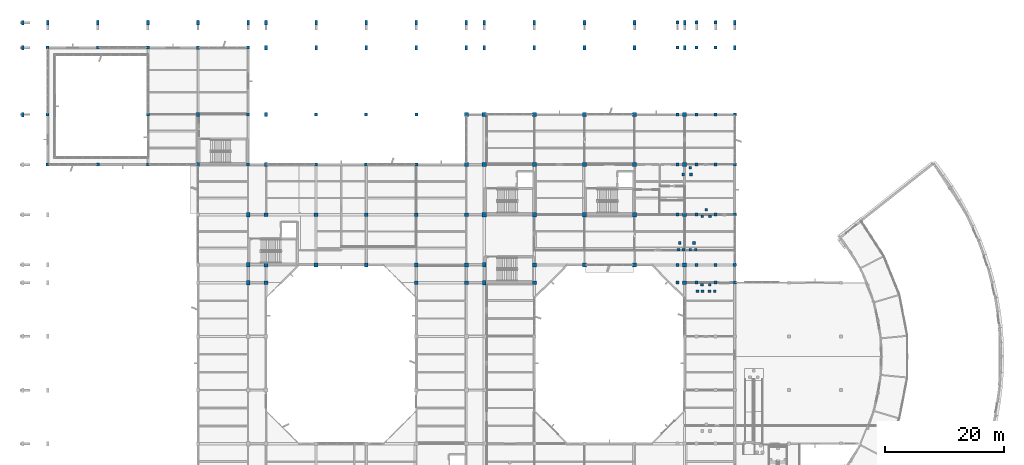
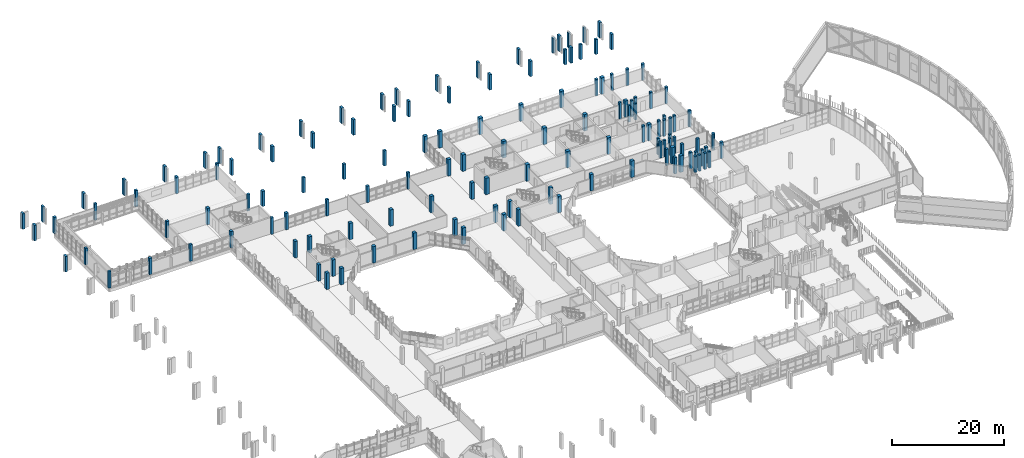
# One storey, part 2 of 104: 137 columns.
"""IFC4 building model written with IfcOpenShell, lengths in metres."""

from ifc_helpers import new_model, si_unit, direction, frame, origin, origin_2d, place, context, subcontext, project, spatial, rectangle, circle, extrude, material, material_profile, profile_set, type_object, element, save


model = new_model("IFC4")

# Units and contexts
model_context = context("Model", 3, precision=1e-05, world=origin(), true_north=direction((0.0, 1.0)))
body_context = subcontext(model_context, "Body", "Model", "MODEL_VIEW")
ifc_project = project(units=[si_unit("LENGTHUNIT", "METRE"), si_unit("AREAUNIT", "SQUARE_METRE"), si_unit("VOLUMEUNIT", "CUBIC_METRE"), si_unit("PLANEANGLEUNIT", "RADIAN"), si_unit("MASSUNIT", "GRAM", prefix="KILO")], contexts=[model_context])

# Site, building, storey
site_placement = place(None, origin())
site = spatial("IfcSite", under=ifc_project, at=site_placement, CompositionType="ELEMENT")
building_placement = place(site_placement, origin())
building = spatial("IfcBuilding", under=site, at=building_placement, Name="Vanh Quang Courtyard School", CompositionType="ELEMENT")
storey_placement = place(building_placement, frame((0.0, 0.0, 4.199951171875)))
storey = spatial("IfcBuildingStorey", under=building, at=storey_placement, Name="L01", CompositionType="ELEMENT", Elevation=4.199951171875)

# Columns
ifc_material = material(Name="Concrete C35/45", Category="concrete")
ifc_material_profile_1 = material_profile(ifc_material, rectangle(XDim=0.449951171875, YDim=0.75, at=origin_2d()), Name="RC-PIER 450x750")
ifc_profile_set_1 = profile_set([ifc_material_profile_1], Name="Concrete C35/45")
column_type_1 = type_object("IfcColumnType", Name="COL-PIER-450x750", PredefinedType="COLUMN", material=ifc_profile_set_1)
for number, where, z_axis, x_axis, name in (
    (1, (0.0, 96.60009765625, 0.0), (0.0, 0.0, 1.0), (1.0, 0.0, 0.0), "Column C-09 (L01)"),
    (2, (0.0, 107.800048828125, 0.0), (0.0, 0.0, 1.0), (1.0, 0.0, 0.0), "Column C-09 (L01)"),
    (3, (0.0, 112.0, 0.0), (0.0, 0.0, 1.0), (1.0, 0.0, 0.0), "Column C-09 (L01)"),
    (4, (4.199951171875, 112.0, 0.0), (0.0, 0.0, 1.0), (1.0, 0.0, 0.0), "Column C-09 (L01)"),
    (5, (12.60009765625, 112.0, 0.0), (0.0, 0.0, 1.0), (1.0, 0.0, 0.0), "Column C-09 (L01)"),
    (6, (21.0, 112.0, 0.0), (0.0, 0.0, 1.0), (1.0, 0.0, 0.0), "Column C-09 (L01)"),
    (7, (29.39990234375, 112.0, 0.0), (0.0, 0.0, 1.0), (1.0, 0.0, 0.0), "Column C-09 (L01)"),
    (8, (37.800048828125, 112.0, 0.0), (0.0, 0.0, 1.0), (1.0, 0.0, 0.0), "Column C-09 (L01)"),
    (9, (40.800048828125, 107.800048828125, 0.0), (0.0, 0.0, 1.0), (1.0, 0.0, 0.0), "Column C-09 (L01)"),
    (10, (40.800048828125, 112.0, 0.0), (0.0, 0.0, 1.0), (1.0, 0.0, 0.0), "Column C-09 (L01)"),
    (11, (49.199951171875, 107.800048828125, 0.0), (0.0, 0.0, 1.0), (1.0, 0.0, 0.0), "Column C-09 (L01)"),
    (12, (49.199951171875, 112.0, 0.0), (0.0, 0.0, 1.0), (1.0, 0.0, 0.0), "Column C-09 (L01)"),
    (13, (57.60009765625, 107.800048828125, 0.0), (0.0, 0.0, 1.0), (1.0, 0.0, 0.0), "Column C-09 (L01)"),
    (14, (57.60009765625, 112.0, 0.0), (0.0, 0.0, 1.0), (1.0, 0.0, 0.0), "Column C-09 (L01)"),
    (15, (66.0, 107.800048828125, 0.0), (0.0, 0.0, 1.0), (1.0, 0.0, 0.0), "Column C-09 (L01)"),
    (16, (66.0, 112.0, 0.0), (0.0, 0.0, 1.0), (1.0, 0.0, 0.0), "Column C-09 (L01)"),
    (17, (74.39990234375, 107.800048828125, 0.0), (0.0, 0.0, 1.0), (1.0, 0.0, 0.0), "Column C-09 (L01)"),
    (18, (74.39990234375, 112.0, 0.0), (0.0, 0.0, 1.0), (1.0, 0.0, 0.0), "Column C-09 (L01)"),
    (19, (77.39990234375, 107.800048828125, 0.0), (0.0, 0.0, 1.0), (1.0, 0.0, 0.0), "Column C-09 (L01)"),
    (20, (77.39990234375, 112.0, 0.0), (0.0, 0.0, 1.0), (1.0, 0.0, 0.0), "Column C-09 (L01)"),
    (21, (85.800048828125, 107.800048828125, 0.0), (0.0, 0.0, 1.0), (1.0, 0.0, 0.0), "Column C-09 (L01)"),
    (22, (85.800048828125, 112.0, 0.0), (0.0, 0.0, 1.0), (1.0, 0.0, 0.0), "Column C-09 (L01)"),
    (23, (94.199951171875, 107.800048828125, 0.0), (0.0, 0.0, 1.0), (1.0, 0.0, 0.0), "Column C-09 (L01)"),
    (24, (94.199951171875, 112.0, 0.0), (0.0, 0.0, 1.0), (1.0, 0.0, 0.0), "Column C-09 (L01)"),
    (25, (102.60009765625, 107.800048828125, 0.0), (0.0, 0.0, 1.0), (1.0, 0.0, 0.0), "Column C-09 (L01)"),
    (26, (102.60009765625, 112.0, 0.0), (0.0, 0.0, 1.0), (1.0, 0.0, 0.0), "Column C-09 (L01)"),
    (27, (111.0, 107.800048828125, 0.0), (0.0, 0.0, 1.0), (1.0, 0.0, 0.0), "Column C-09 (L01)"),
    (28, (111.0, 112.0, 0.0), (0.0, 0.0, 1.0), (1.0, 0.0, 0.0), "Column C-09 (L01)"),
    (29, (119.39990234375, 107.800048828125, 0.0), (0.0, 0.0, 1.0), (1.0, 0.0, 0.0), "Column C-09 (L01)"),
    (30, (119.39990234375, 112.0, 0.0), (0.0, 0.0, 1.0), (1.0, 0.0, 0.0), "Column C-09 (L01)"),
):
    element("IfcColumn", number, at=place(storey_placement, frame(where, z_axis=z_axis, x_axis=x_axis)), inside=storey, type_object=column_type_1, Name=name, PredefinedType="COLUMN", context=body_context, shape_type="SweptSolid", body=[
        extrude(rectangle(XDim=0.449951171875, YDim=0.75, at=origin_2d()), origin(), (0.0, 0.0, 1.0), 3.380126953125),
    ])
ifc_material_profile_2 = material_profile(ifc_material, rectangle(XDim=0.449951171875, YDim=0.449951171875, at=origin_2d()), Name="RC-COL 450x450")
ifc_profile_set_2 = profile_set([ifc_material_profile_2], Name="Concrete C35/45")
column_type_2 = type_object("IfcColumnType", Name="COL-RC-450", PredefinedType="COLUMN", material=ifc_profile_set_2)
for number, where, z_axis, x_axis, name in (
    (31, (113.949951171875, 79.550048828125, 0.0), (0.0, 0.0, 1.0), (1.0, 0.0, 0.0), "Column C-06 (L01)"),
    (32, (115.25, 79.550048828125, 0.0), (0.0, 0.0, 1.0), (1.0, 0.0, 0.0), "Column C-06 (L01)"),
    (33, (114.60009765625, 80.64990234375, 0.0), (0.0, 0.0, 1.0), (1.0, 0.0, 0.0), "Column C-06 (L01)"),
    (34, (115.14990234375, 66.949951171875, 0.0), (0.0, 0.0, 1.0), (1.0, 0.0, 0.0), "Column C-06 (L01)"),
    (35, (116.050048828125, 66.949951171875, 0.0), (0.0, 0.0, 1.0), (1.0, 0.0, 0.0), "Column C-06 (L01)"),
    (36, (115.199951171875, 68.050048828125, 0.0), (0.0, 0.0, 1.0), (1.0, 0.0, 0.0), "Column C-06 (L01)"),
    (37, (113.14990234375, 66.949951171875, 0.0), (0.0, 0.0, 1.0), (1.0, 0.0, 0.0), "Column C-06 (L01)"),
    (38, (114.0, 66.949951171875, 0.0), (0.0, 0.0, 1.0), (1.0, 0.0, 0.0), "Column C-06 (L01)"),
    (39, (113.89990234375, 68.050048828125, 0.0), (0.0, 0.0, 1.0), (1.0, 0.0, 0.0), "Column C-06 (L01)"),
    (40, (110.75, 86.550048828125, 0.0), (0.0, 0.0, 1.0), (1.0, 0.0, 0.0), "Column C-06 (L01)"),
    (41, (112.050048828125, 86.550048828125, 0.0), (0.0, 0.0, 1.0), (1.0, 0.0, 0.0), "Column C-06 (L01)"),
    (42, (111.949951171875, 87.64990234375, 0.0), (0.0, 0.0, 1.0), (1.0, 0.0, 0.0), "Column C-06 (L01)"),
    (43, (111.949951171875, 73.949951171875, 0.0), (0.0, 0.0, 1.0), (1.0, 0.0, 0.0), "Column C-06 (L01)"),
    (44, (112.85009765625, 73.949951171875, 0.0), (0.0, 0.0, 1.0), (1.0, 0.0, 0.0), "Column C-06 (L01)"),
    (45, (112.550048828125, 75.050048828125, 0.0), (0.0, 0.0, 1.0), (1.0, 0.0, 0.0), "Column C-06 (L01)"),
    (46, (109.949951171875, 73.949951171875, 0.0), (0.0, 0.0, 1.0), (1.0, 0.0, 0.0), "Column C-06 (L01)"),
    (47, (110.800048828125, 73.949951171875, 0.0), (0.0, 0.0, 1.0), (1.0, 0.0, 0.0), "Column C-06 (L01)"),
    (48, (110.14990234375, 75.050048828125, 0.0), (0.0, 0.0, 1.0), (1.0, 0.0, 0.0), "Column C-06 (L01)"),
):
    element("IfcColumn", number, at=place(storey_placement, frame(where, z_axis=z_axis, x_axis=x_axis)), inside=storey, type_object=column_type_2, Name=name, PredefinedType="COLUMN", context=body_context, shape_type="SweptSolid", body=[
        extrude(rectangle(XDim=0.449951171875, YDim=0.449951171875, at=origin_2d()), origin(), (0.0, 0.0, 1.0), 3.60009765625),
    ])
ifc_material_profile_3 = material_profile(ifc_material, rectangle(XDim=0.5, YDim=0.5, at=origin_2d()), Name="RC-COL 500x500")
ifc_profile_set_3 = profile_set([ifc_material_profile_3], Name="Concrete C35/45")
column_type_3 = type_object("IfcColumnType", Name="COL-RC-500", PredefinedType="COLUMN", material=ifc_profile_set_3)
for number, where, z_axis, x_axis, name in (
    (49, (4.199951171875, 88.199951171875, 0.0), (0.0, 0.0, 1.0), (1.0, 0.0, 0.0), "Column C-05 (L01)"),
    (50, (4.199951171875, 96.60009765625, 0.0), (0.0, 0.0, 1.0), (1.0, 0.0, 0.0), "Column C-05 (L01)"),
    (51, (4.199951171875, 107.800048828125, 0.0), (0.0, 0.0, 1.0), (1.0, 0.0, 0.0), "Column C-05 (L01)"),
    (52, (12.60009765625, 88.199951171875, 0.0), (0.0, 0.0, 1.0), (1.0, 0.0, 0.0), "Column C-05 (L01)"),
    (53, (12.60009765625, 107.800048828125, 0.0), (0.0, 0.0, 1.0), (1.0, 0.0, 0.0), "Column C-05 (L01)"),
    (54, (21.0, 88.199951171875, 0.0), (0.0, 0.0, 1.0), (1.0, 0.0, 0.0), "Column C-05 (L01)"),
    (55, (21.0, 96.60009765625, 0.0), (0.0, 0.0, 1.0), (1.0, 0.0, 0.0), "Column C-05 (L01)"),
    (56, (21.0, 107.800048828125, 0.0), (0.0, 0.0, 1.0), (1.0, 0.0, 0.0), "Column C-05 (L01)"),
    (57, (37.800048828125, 88.199951171875, 0.0), (0.0, 0.0, 1.0), (1.0, 0.0, 0.0), "Column C-05 (L01)"),
    (58, (37.800048828125, 96.60009765625, 0.0), (0.0, 0.0, 1.0), (1.0, 0.0, 0.0), "Column C-05 (L01)"),
    (59, (37.800048828125, 107.800048828125, 0.0), (0.0, 0.0, 1.0), (1.0, 0.0, 0.0), "Column C-05 (L01)"),
    (60, (49.199951171875, 88.199951171875, 0.0), (0.0, 0.0, 1.0), (1.0, 0.0, 0.0), "Column C-05 (L01)"),
):
    element("IfcColumn", number, at=place(storey_placement, frame(where, z_axis=z_axis, x_axis=x_axis)), inside=storey, type_object=column_type_3, Name=name, PredefinedType="COLUMN", context=body_context, shape_type="SweptSolid", body=[
        extrude(rectangle(XDim=0.5, YDim=0.5, at=origin_2d()), origin(), (0.0, 0.0, 1.0), 3.60009765625),
    ])
column_1_placement = place(storey_placement, frame((49.199951171875, 96.60009765625, 0.0), z_axis=(0.0, 0.0, 1.0), x_axis=(1.0, 0.0, 0.0)))
element("IfcColumn", 61, at=column_1_placement, inside=storey, type_object=column_type_3, Name="Column C-05 (L01)", PredefinedType="COLUMN", context=body_context, shape_type="SweptSolid", body=[
    extrude(rectangle(XDim=0.5, YDim=0.5, at=origin_2d()), origin(), (0.0, 0.0, 1.0), 3.320068359375),
])
column_2_placement = place(storey_placement, frame((57.60009765625, 88.199951171875, 0.0), z_axis=(0.0, 0.0, 1.0), x_axis=(1.0, 0.0, 0.0)))
element("IfcColumn", 62, at=column_2_placement, inside=storey, type_object=column_type_3, Name="Column C-05 (L01)", PredefinedType="COLUMN", context=body_context, shape_type="SweptSolid", body=[
    extrude(rectangle(XDim=0.5, YDim=0.5, at=origin_2d()), origin(), (0.0, 0.0, 1.0), 3.60009765625),
])
column_3_placement = place(storey_placement, frame((57.60009765625, 96.60009765625, 0.0), z_axis=(0.0, 0.0, 1.0), x_axis=(1.0, 0.0, 0.0)))
element("IfcColumn", 63, at=column_3_placement, inside=storey, type_object=column_type_3, Name="Column C-05 (L01)", PredefinedType="COLUMN", context=body_context, shape_type="SweptSolid", body=[
    extrude(rectangle(XDim=0.5, YDim=0.5, at=origin_2d()), origin(), (0.0, 0.0, 1.0), 3.320068359375),
])
column_4_placement = place(storey_placement, frame((66.0, 88.199951171875, 0.0), z_axis=(0.0, 0.0, 1.0), x_axis=(1.0, 0.0, 0.0)))
element("IfcColumn", 64, at=column_4_placement, inside=storey, type_object=column_type_3, Name="Column C-05 (L01)", PredefinedType="COLUMN", context=body_context, shape_type="SweptSolid", body=[
    extrude(rectangle(XDim=0.5, YDim=0.5, at=origin_2d()), origin(), (0.0, 0.0, 1.0), 3.60009765625),
])
column_5_placement = place(storey_placement, frame((66.0, 96.60009765625, 0.0), z_axis=(0.0, 0.0, 1.0), x_axis=(1.0, 0.0, 0.0)))
element("IfcColumn", 65, at=column_5_placement, inside=storey, type_object=column_type_3, Name="Column C-05 (L01)", PredefinedType="COLUMN", context=body_context, shape_type="SweptSolid", body=[
    extrude(rectangle(XDim=0.5, YDim=0.5, at=origin_2d()), origin(), (0.0, 0.0, 1.0), 3.320068359375),
])
for number, where, z_axis, x_axis, name in (
    (66, (119.39990234375, 68.39990234375, 0.0), (0.0, 0.0, 1.0), (1.0, 0.0, 0.0), "Column C-05 (L01)"),
    (67, (119.39990234375, 79.800048828125, 0.0), (0.0, 0.0, 1.0), (1.0, 0.0, 0.0), "Column C-05 (L01)"),
    (68, (119.39990234375, 88.199951171875, 0.0), (0.0, 0.0, 1.0), (1.0, 0.0, 0.0), "Column C-05 (L01)"),
    (69, (119.39990234375, 96.60009765625, 0.0), (0.0, 0.0, 1.0), (1.0, 0.0, 0.0), "Column C-05 (L01)"),
    (70, (116.199951171875, 68.39990234375, 0.0), (0.0, 0.0, 1.0), (1.0, 0.0, 0.0), "Column C-05 (L01)"),
    (71, (116.199951171875, 71.39990234375, 0.0), (0.0, 0.0, 1.0), (1.0, 0.0, 0.0), "Column C-05 (L01)"),
    (72, (116.199951171875, 79.800048828125, 0.0), (0.0, 0.0, 1.0), (1.0, 0.0, 0.0), "Column C-05 (L01)"),
    (73, (116.199951171875, 88.199951171875, 0.0), (0.0, 0.0, 1.0), (1.0, 0.0, 0.0), "Column C-05 (L01)"),
    (74, (116.199951171875, 96.60009765625, 0.0), (0.0, 0.0, 1.0), (1.0, 0.0, 0.0), "Column C-05 (L01)"),
):
    element("IfcColumn", number, at=place(storey_placement, frame(where, z_axis=z_axis, x_axis=x_axis)), inside=storey, type_object=column_type_3, Name=name, PredefinedType="COLUMN", context=body_context, shape_type="SweptSolid", body=[
        extrude(rectangle(XDim=0.5, YDim=0.5, at=origin_2d()), origin(), (0.0, 0.0, 1.0), 3.60009765625),
    ])
for number, where, z_axis, x_axis, name in (
    (75, (116.199951171875, 107.800048828125, 0.0), (0.0, 0.0, 1.0), (1.0, 0.0, 0.0), "Column C-05 (L01)"),
    (76, (116.199951171875, 112.0, 0.0), (0.0, 0.0, 1.0), (1.0, 0.0, 0.0), "Column C-05 (L01)"),
):
    element("IfcColumn", number, at=place(storey_placement, frame(where, z_axis=z_axis, x_axis=x_axis)), inside=storey, type_object=column_type_3, Name=name, PredefinedType="COLUMN", context=body_context, shape_type="SweptSolid", body=[
        extrude(rectangle(XDim=0.5, YDim=0.5, at=origin_2d()), origin(), (0.0, 0.0, 1.0), 3.280029296875),
    ])
for number, where, z_axis, x_axis, name in (
    (77, (113.0, 68.39990234375, 0.0), (0.0, 0.0, 1.0), (1.0, 0.0, 0.0), "Column C-05 (L01)"),
    (78, (113.0, 71.39990234375, 0.0), (0.0, 0.0, 1.0), (1.0, 0.0, 0.0), "Column C-05 (L01)"),
    (79, (113.0, 79.800048828125, 0.0), (0.0, 0.0, 1.0), (1.0, 0.0, 0.0), "Column C-05 (L01)"),
    (80, (113.0, 88.199951171875, 0.0), (0.0, 0.0, 1.0), (1.0, 0.0, 0.0), "Column C-05 (L01)"),
    (81, (113.0, 96.60009765625, 0.0), (0.0, 0.0, 1.0), (1.0, 0.0, 0.0), "Column C-05 (L01)"),
):
    element("IfcColumn", number, at=place(storey_placement, frame(where, z_axis=z_axis, x_axis=x_axis)), inside=storey, type_object=column_type_3, Name=name, PredefinedType="COLUMN", context=body_context, shape_type="SweptSolid", body=[
        extrude(rectangle(XDim=0.5, YDim=0.5, at=origin_2d()), origin(), (0.0, 0.0, 1.0), 3.60009765625),
    ])
for number, where, z_axis, x_axis, name in (
    (82, (113.0, 107.800048828125, 0.0), (0.0, 0.0, 1.0), (1.0, 0.0, 0.0), "Column C-05 (L01)"),
    (83, (113.0, 112.0, 0.0), (0.0, 0.0, 1.0), (1.0, 0.0, 0.0), "Column C-05 (L01)"),
):
    element("IfcColumn", number, at=place(storey_placement, frame(where, z_axis=z_axis, x_axis=x_axis)), inside=storey, type_object=column_type_3, Name=name, PredefinedType="COLUMN", context=body_context, shape_type="SweptSolid", body=[
        extrude(rectangle(XDim=0.5, YDim=0.5, at=origin_2d()), origin(), (0.0, 0.0, 1.0), 3.280029296875),
    ])
for number, where, z_axis, x_axis, name in (
    (84, (109.800048828125, 68.39990234375, 0.0), (0.0, 0.0, 1.0), (1.0, 0.0, 0.0), "Column C-05 (L01)"),
    (85, (109.800048828125, 71.39990234375, 0.0), (0.0, 0.0, 1.0), (1.0, 0.0, 0.0), "Column C-05 (L01)"),
    (86, (109.800048828125, 79.800048828125, 0.0), (0.0, 0.0, 1.0), (1.0, 0.0, 0.0), "Column C-05 (L01)"),
    (87, (109.800048828125, 88.199951171875, 0.0), (0.0, 0.0, 1.0), (1.0, 0.0, 0.0), "Column C-05 (L01)"),
    (88, (109.800048828125, 96.60009765625, 0.0), (0.0, 0.0, 1.0), (1.0, 0.0, 0.0), "Column C-05 (L01)"),
):
    element("IfcColumn", number, at=place(storey_placement, frame(where, z_axis=z_axis, x_axis=x_axis)), inside=storey, type_object=column_type_3, Name=name, PredefinedType="COLUMN", context=body_context, shape_type="SweptSolid", body=[
        extrude(rectangle(XDim=0.5, YDim=0.5, at=origin_2d()), origin(), (0.0, 0.0, 1.0), 3.60009765625),
    ])
for number, where, z_axis, x_axis, name in (
    (89, (109.800048828125, 107.800048828125, 0.0), (0.0, 0.0, 1.0), (1.0, 0.0, 0.0), "Column C-05 (L01)"),
    (90, (109.800048828125, 112.0, 0.0), (0.0, 0.0, 1.0), (1.0, 0.0, 0.0), "Column C-05 (L01)"),
):
    element("IfcColumn", number, at=place(storey_placement, frame(where, z_axis=z_axis, x_axis=x_axis)), inside=storey, type_object=column_type_3, Name=name, PredefinedType="COLUMN", context=body_context, shape_type="SweptSolid", body=[
        extrude(rectangle(XDim=0.5, YDim=0.5, at=origin_2d()), origin(), (0.0, 0.0, 1.0), 3.280029296875),
    ])
ifc_material_profile_4 = material_profile(ifc_material, rectangle(XDim=0.5, YDim=0.64990234375, at=origin_2d()), Name="RC-COL 500x650")
ifc_profile_set_4 = profile_set([ifc_material_profile_4], Name="Concrete C35/45")
column_type_4 = type_object("IfcColumnType", Name="COL-RC-500x650", PredefinedType="COLUMN", material=ifc_profile_set_4)
for number, where, z_axis, x_axis, name in (
    (91, (29.39990234375, 88.199951171875, 0.0), (0.0, 0.0, 1.0), (1.0, 0.0, 0.0), "Column C-07 (L01)"),
    (92, (29.39990234375, 96.60009765625, 0.0), (0.0, 0.0, 1.0), (1.0, 0.0, 0.0), "Column C-07 (L01)"),
    (93, (29.39990234375, 107.800048828125, 0.0), (0.0, 0.0, 1.0), (1.0, 0.0, 0.0), "Column C-07 (L01)"),
    (94, (40.800048828125, 88.199951171875, 0.0), (0.0, 0.0, 1.0), (1.0, 0.0, 0.0), "Column C-07 (L01)"),
):
    element("IfcColumn", number, at=place(storey_placement, frame(where, z_axis=z_axis, x_axis=x_axis)), inside=storey, type_object=column_type_4, Name=name, PredefinedType="COLUMN", context=body_context, shape_type="SweptSolid", body=[
        extrude(rectangle(XDim=0.5, YDim=0.64990234375, at=origin_2d()), origin(), (0.0, 0.0, 1.0), 3.60009765625),
    ])
column_6_placement = place(storey_placement, frame((40.800048828125, 96.60009765625, 0.0), z_axis=(0.0, 0.0, 1.0), x_axis=(1.0, 0.0, 0.0)))
element("IfcColumn", 95, at=column_6_placement, inside=storey, type_object=column_type_4, Name="Column C-07 (L01)", PredefinedType="COLUMN", context=body_context, shape_type="SweptSolid", body=[
    extrude(rectangle(XDim=0.5, YDim=0.64990234375, at=origin_2d()), origin(), (0.0, 0.0, 1.0), 3.320068359375),
])
ifc_material_profile_5 = material_profile(ifc_material, rectangle(XDim=0.550048828125, YDim=0.699951171875, at=origin_2d()), Name="RC-COL 550x700")
ifc_profile_set_5 = profile_set([ifc_material_profile_5], Name="Concrete C35/45")
column_type_5 = type_object("IfcColumnType", Name="COL-RC-550x700", PredefinedType="COLUMN", material=ifc_profile_set_5)
for number, where, z_axis, x_axis, name in (
    (96, (37.800048828125, 68.39990234375, 0.0), (0.0, 0.0, 1.0), (1.0, 0.0, 0.0), "Column C-08 (L01)"),
    (97, (37.800048828125, 71.39990234375, 0.0), (0.0, 0.0, 1.0), (1.0, 0.0, 0.0), "Column C-08 (L01)"),
    (98, (37.800048828125, 79.800048828125, 0.0), (0.0, 0.0, 1.0), (1.0, 0.0, 0.0), "Column C-08 (L01)"),
    (99, (77.39990234375, 68.39990234375, 0.0), (0.0, 0.0, 1.0), (1.0, 0.0, 0.0), "Column C-08 (L01)"),
    (100, (77.39990234375, 71.39990234375, 0.0), (0.0, 0.0, 1.0), (1.0, 0.0, 0.0), "Column C-08 (L01)"),
):
    element("IfcColumn", number, at=place(storey_placement, frame(where, z_axis=z_axis, x_axis=x_axis)), inside=storey, type_object=column_type_5, Name=name, PredefinedType="COLUMN", context=body_context, shape_type="SweptSolid", body=[
        extrude(rectangle(XDim=0.550048828125, YDim=0.699951171875, at=origin_2d()), origin(), (0.0, 0.0, 1.0), 3.60009765625),
    ])
ifc_material_profile_6 = material_profile(ifc_material, rectangle(XDim=0.64990234375, YDim=0.64990234375, at=origin_2d()), Name="RC-COL 650x650")
ifc_profile_set_6 = profile_set([ifc_material_profile_6], Name="Concrete C35/45")
column_type_6 = type_object("IfcColumnType", Name="COL-RC-650", PredefinedType="COLUMN", material=ifc_profile_set_6)
for number, where, z_axis, x_axis, name in (
    (101, (40.800048828125, 68.39990234375, 0.0), (0.0, 0.0, 1.0), (1.0, 0.0, 0.0), "Column C-02 (L01)"),
    (102, (40.800048828125, 71.39990234375, 0.0), (0.0, 0.0, 1.0), (1.0, 0.0, 0.0), "Column C-02 (L01)"),
    (103, (40.800048828125, 79.800048828125, 0.0), (0.0, 0.0, 1.0), (1.0, 0.0, 0.0), "Column C-02 (L01)"),
    (104, (49.199951171875, 71.39990234375, 0.0), (0.0, 0.0, 1.0), (1.0, 0.0, 0.0), "Column C-02 (L01)"),
    (105, (49.199951171875, 79.800048828125, 0.0), (0.0, 0.0, 1.0), (1.0, 0.0, 0.0), "Column C-02 (L01)"),
    (106, (57.60009765625, 71.39990234375, 0.0), (0.0, 0.0, 1.0), (1.0, 0.0, 0.0), "Column C-02 (L01)"),
    (107, (57.60009765625, 79.800048828125, 0.0), (0.0, 0.0, 1.0), (1.0, 0.0, 0.0), "Column C-02 (L01)"),
    (108, (66.0, 68.39990234375, 0.0), (0.0, 0.0, 1.0), (1.0, 0.0, 0.0), "Column C-02 (L01)"),
    (109, (66.0, 71.39990234375, 0.0), (0.0, 0.0, 1.0), (1.0, 0.0, 0.0), "Column C-02 (L01)"),
    (110, (66.0, 79.800048828125, 0.0), (0.0, 0.0, 1.0), (1.0, 0.0, 0.0), "Column C-02 (L01)"),
    (111, (74.39990234375, 68.39990234375, 0.0), (0.0, 0.0, 1.0), (1.0, 0.0, 0.0), "Column C-02 (L01)"),
    (112, (74.39990234375, 71.39990234375, 0.0), (0.0, 0.0, 1.0), (1.0, 0.0, 0.0), "Column C-02 (L01)"),
    (113, (74.39990234375, 79.800048828125, 0.0), (0.0, 0.0, 1.0), (1.0, 0.0, 0.0), "Column C-02 (L01)"),
    (114, (74.39990234375, 88.199951171875, 0.0), (0.0, 0.0, 1.0), (1.0, 0.0, 0.0), "Column C-02 (L01)"),
    (115, (74.39990234375, 96.60009765625, 0.0), (0.0, 0.0, 1.0), (1.0, 0.0, 0.0), "Column C-02 (L01)"),
    (116, (85.800048828125, 68.39990234375, 0.0), (0.0, 0.0, 1.0), (1.0, 0.0, 0.0), "Column C-02 (L01)"),
    (117, (85.800048828125, 71.39990234375, 0.0), (0.0, 0.0, 1.0), (1.0, 0.0, 0.0), "Column C-02 (L01)"),
    (118, (94.199951171875, 71.39990234375, 0.0), (0.0, 0.0, 1.0), (1.0, 0.0, 0.0), "Column C-02 (L01)"),
    (119, (102.60009765625, 71.39990234375, 0.0), (0.0, 0.0, 1.0), (1.0, 0.0, 0.0), "Column C-02 (L01)"),
    (120, (111.0, 68.39990234375, 0.0), (0.0, 0.0, 1.0), (1.0, 0.0, 0.0), "Column C-02 (L01)"),
    (121, (111.0, 71.39990234375, 0.0), (0.0, 0.0, 1.0), (1.0, 0.0, 0.0), "Column C-02 (L01)"),
    (122, (111.0, 79.800048828125, 0.0), (0.0, 0.0, 1.0), (1.0, 0.0, 0.0), "Column C-02 (L01)"),
    (123, (111.0, 88.199951171875, 0.0), (0.0, 0.0, 1.0), (1.0, 0.0, 0.0), "Column C-02 (L01)"),
    (124, (111.0, 96.60009765625, 0.0), (0.0, 0.0, 1.0), (1.0, 0.0, 0.0), "Column C-02 (L01)"),
):
    element("IfcColumn", number, at=place(storey_placement, frame(where, z_axis=z_axis, x_axis=x_axis)), inside=storey, type_object=column_type_6, Name=name, PredefinedType="COLUMN", context=body_context, shape_type="SweptSolid", body=[
        extrude(rectangle(XDim=0.64990234375, YDim=0.64990234375, at=origin_2d()), origin(), (0.0, 0.0, 1.0), 3.60009765625),
    ])
ifc_material_profile_7 = material_profile(ifc_material, rectangle(XDim=0.699951171875, YDim=0.699951171875, at=origin_2d()), Name="RC-COL 700x700")
ifc_profile_set_7 = profile_set([ifc_material_profile_7], Name="Concrete C35/45")
column_type_7 = type_object("IfcColumnType", Name="COL-RC-700", PredefinedType="COLUMN", material=ifc_profile_set_7)
for number, where, z_axis, x_axis, name in (
    (125, (77.39990234375, 79.800048828125, 0.0), (0.0, 0.0, 1.0), (1.0, 0.0, 0.0), "Column C-01 (L01)"),
    (126, (77.39990234375, 88.199951171875, 0.0), (0.0, 0.0, 1.0), (1.0, 0.0, 0.0), "Column C-01 (L01)"),
    (127, (77.39990234375, 96.60009765625, 0.0), (0.0, 0.0, 1.0), (1.0, 0.0, 0.0), "Column C-01 (L01)"),
    (128, (85.800048828125, 79.800048828125, 0.0), (0.0, 0.0, 1.0), (1.0, 0.0, 0.0), "Column C-01 (L01)"),
    (129, (85.800048828125, 88.199951171875, 0.0), (0.0, 0.0, 1.0), (1.0, 0.0, 0.0), "Column C-01 (L01)"),
    (130, (85.800048828125, 96.60009765625, 0.0), (0.0, 0.0, 1.0), (1.0, 0.0, 0.0), "Column C-01 (L01)"),
    (131, (94.199951171875, 79.800048828125, 0.0), (0.0, 0.0, 1.0), (1.0, 0.0, 0.0), "Column C-01 (L01)"),
    (132, (94.199951171875, 88.199951171875, 0.0), (0.0, 0.0, 1.0), (1.0, 0.0, 0.0), "Column C-01 (L01)"),
    (133, (94.199951171875, 96.60009765625, 0.0), (0.0, 0.0, 1.0), (1.0, 0.0, 0.0), "Column C-01 (L01)"),
    (134, (102.60009765625, 79.800048828125, 0.0), (0.0, 0.0, 1.0), (1.0, 0.0, 0.0), "Column C-01 (L01)"),
    (135, (102.60009765625, 88.199951171875, 0.0), (0.0, 0.0, 1.0), (1.0, 0.0, 0.0), "Column C-01 (L01)"),
    (136, (102.60009765625, 96.60009765625, 0.0), (0.0, 0.0, 1.0), (1.0, 0.0, 0.0), "Column C-01 (L01)"),
):
    element("IfcColumn", number, at=place(storey_placement, frame(where, z_axis=z_axis, x_axis=x_axis)), inside=storey, type_object=column_type_7, Name=name, PredefinedType="COLUMN", context=body_context, shape_type="SweptSolid", body=[
        extrude(rectangle(XDim=0.699951171875, YDim=0.699951171875, at=origin_2d()), origin(), (0.0, 0.0, 1.0), 3.60009765625),
    ])
ifc_material_profile_8 = material_profile(ifc_material, circle(Radius=0.324951171875, at=origin_2d()), Name="RC-COL D650")
ifc_profile_set_8 = profile_set([ifc_material_profile_8], Name="Concrete C35/45")
column_type_8 = type_object("IfcColumnType", Name="COL-RC-D650", PredefinedType="COLUMN", material=ifc_profile_set_8)
column_7_placement = place(storey_placement, frame((119.39990234375, 71.39990234375, 0.0), z_axis=(0.0, 0.0, 1.0), x_axis=(1.0, 0.0, 0.0)))
element("IfcColumn", 137, at=column_7_placement, inside=storey, type_object=column_type_8, Name="Column C-10 (L01)", PredefinedType="COLUMN", context=body_context, shape_type="SweptSolid", body=[
    extrude(circle(Radius=0.324951171875, at=origin_2d()), origin(), (0.0, 0.0, 1.0), 3.60009765625),
])

save(model, "model.ifc")
